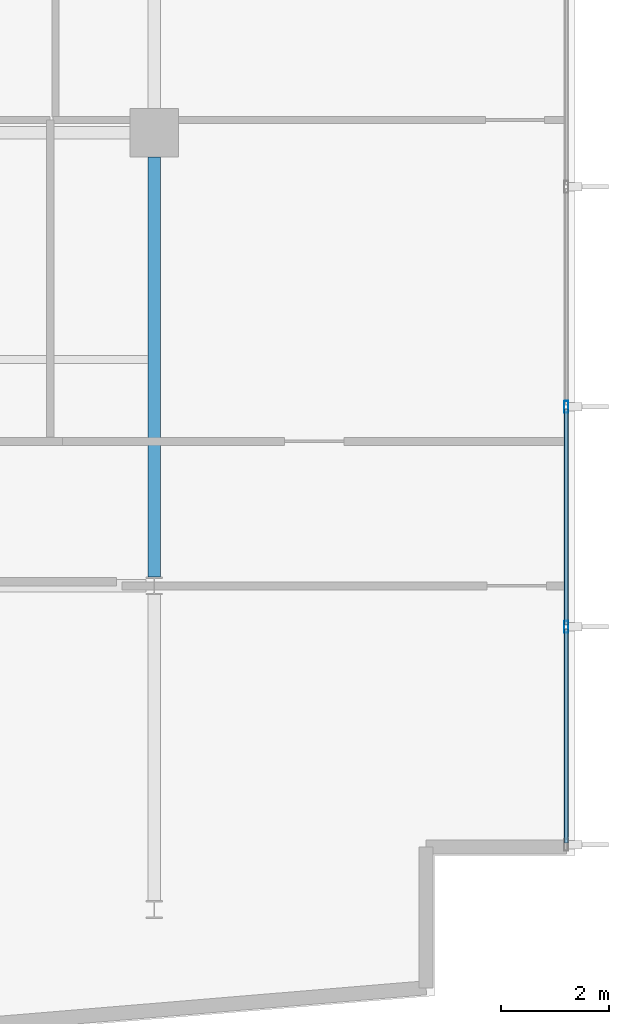
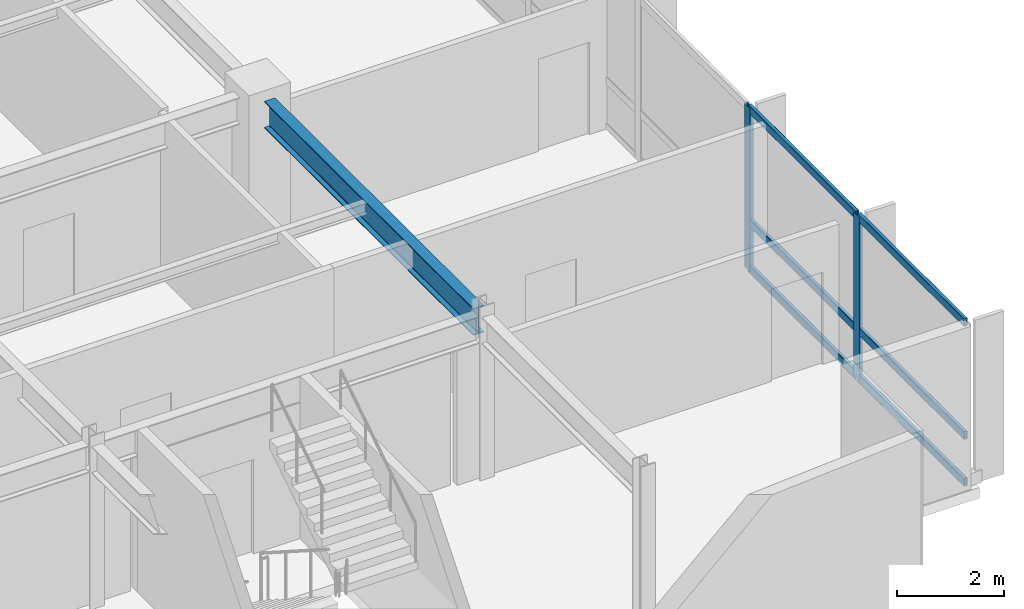
# One storey, part 6 of 21: 8 members, 1 beam, 1 element without a shape of its own.
"""IFC4 building model written with IfcOpenShell, lengths in metres."""

from ifc_helpers import new_model, si_unit, direction, frame, origin, origin_2d, place, context, subcontext, project, spatial, hollow_rectangle, i_section, extrude, material, layer, layer_set, material_profile, profile_set, type_object, element, aggregate, save


model = new_model("IFC4")

# Units and contexts
model_context = context("Model", 3, precision=1e-05, world=origin(), true_north=direction((0.0, 1.0)))
body_context = subcontext(model_context, "Body", "Model", "MODEL_VIEW")
ifc_project = project(units=[si_unit("LENGTHUNIT", "METRE"), si_unit("AREAUNIT", "SQUARE_METRE"), si_unit("VOLUMEUNIT", "CUBIC_METRE"), si_unit("PLANEANGLEUNIT", "RADIAN"), si_unit("MASSUNIT", "GRAM", prefix="KILO")], contexts=[model_context])

# Site, building, storey
site_placement = place(None, origin())
site = spatial("IfcSite", under=ifc_project, at=site_placement, CompositionType="ELEMENT")
building_placement = place(site_placement, origin())
building = spatial("IfcBuilding", under=site, at=building_placement, Name="Varnakote Quay Hospital", CompositionType="ELEMENT")
storey_placement = place(building_placement, frame((0.0, 0.0, 77.800048828125)))
storey = spatial("IfcBuildingStorey", under=building, at=storey_placement, Name="L19", CompositionType="ELEMENT", Elevation=77.800048828125)

# Beam
ifc_material_1 = material(Name="Structural steel AS/NZS 3679.1 Grade 350 L0 (fy 340 MPa)", Category="steel")
ifc_material_profile_1 = material_profile(ifc_material_1, i_section(OverallWidth=0.22900390625, OverallDepth=0.612060546875, WebThickness=0.011962890625, FlangeThickness=0.01953125, FilletRadius=0.013916015625, at=origin_2d()), Name="610UB125")
ifc_profile_set_1 = profile_set([ifc_material_profile_1], Name="Structural steel AS/NZS 3679.1 Grade 350 L0 (fy 340 MPa)")
beam_type = type_object("IfcBeamType", Name="BM-STL-610UB125", PredefinedType="BEAM", material=ifc_profile_set_1)
beam_placement = place(storey_placement, frame((50.39990234375, 12.16357421875, 3.404052734375), z_axis=(0.0, 1.0, 0.0), x_axis=(-1.0, 0.0, 0.0)))
element("IfcBeam", 1, at=beam_placement, inside=storey, type_object=beam_type, Name="L19 Primary Tie Beam", PredefinedType="BEAM", context=body_context, shape_type="SweptSolid", body=[
    extrude(i_section(OverallWidth=0.22900390625, OverallDepth=0.612060546875, WebThickness=0.011962890625, FlangeThickness=0.01953125, FilletRadius=0.013916015625, at=origin_2d()), origin(), (0.0, 0.0, 1.0), 7.786376953125),
])

# Curtain wall, members
ifc_material_2 = material(Name="Anodised aluminium 6063-T6 Bronze", Category="aluminium")
ifc_layer = layer(ifc_material_2, 0.18994140625)
ifc_layer_set = layer_set([ifc_layer], Name="Anodised aluminium 6063-T6 Bronze")
curtain_wall_type = type_object("IfcCurtainWallType", Name="CW-SYS-2", PredefinedType="NOTDEFINED", material=ifc_layer_set)
curtain_wall_placement = place(storey_placement, origin())
curtain_wall = element("IfcCurtainWall", 2, at=curtain_wall_placement, inside=storey, type_object=curtain_wall_type, Name="L19 Unitised Bronze Curtain Wall 1", PredefinedType="NOTDEFINED")
ifc_material_3 = material(Name="Anodised aluminium 6063-T6 Bronze", Category="aluminium")
ifc_material_profile_2 = material_profile(ifc_material_3, hollow_rectangle(XDim=0.074951171875, YDim=0.219970703125, WallThickness=0.00439453125, InnerFilletRadius=0.00439453125, OuterFilletRadius=0.009033203125, at=origin_2d()), Name="CW-MULL-220x75")
ifc_profile_set_2 = profile_set([ifc_material_profile_2], Name="Anodised aluminium 6063-T6 Bronze")
member_type_1 = type_object("IfcMemberType", Name="CW-MULL-220x75", PredefinedType="MULLION", material=ifc_profile_set_2)
member_1_placement = place(storey_placement, frame((58.0400390625, 11.239990234375, 0.0), z_axis=(0.0, 0.0, 1.0), x_axis=(-1.0, 0.0, 0.0)))
member_1 = element("IfcMember", 3, at=member_1_placement, type_object=member_type_1, Name="-2-L19-1 mullion 2", PredefinedType="MULLION", context=body_context, shape_type="SweptSolid", body=[
    extrude(hollow_rectangle(XDim=0.074951171875, YDim=0.219970703125, WallThickness=0.00439453125, InnerFilletRadius=0.00439453125, OuterFilletRadius=0.009033203125, at=origin_2d()), origin(), (0.0, 0.0, 1.0), 3.7099609375),
])
member_2_placement = place(storey_placement, frame((58.0400390625, 15.320068359375, 0.0), z_axis=(0.0, 0.0, 1.0), x_axis=(-1.0, 0.0, 0.0)))
member_2 = element("IfcMember", 4, at=member_2_placement, type_object=member_type_1, Name="-2-L19-1 mullion 3", PredefinedType="MULLION", context=body_context, shape_type="SweptSolid", body=[
    extrude(hollow_rectangle(XDim=0.074951171875, YDim=0.219970703125, WallThickness=0.00439453125, InnerFilletRadius=0.00439453125, OuterFilletRadius=0.009033203125, at=origin_2d()), origin(), (0.0, 0.0, 1.0), 3.7099609375),
])
ifc_material_4 = material(Name="Anodised aluminium 6063-T6 Bronze", Category="aluminium")
ifc_material_profile_3 = material_profile(ifc_material_4, hollow_rectangle(XDim=0.074951171875, YDim=0.179931640625, WallThickness=0.004150390625, InnerFilletRadius=0.004150390625, OuterFilletRadius=0.00830078125, at=origin_2d()), Name="CW-TRAN-180x75")
ifc_profile_set_3 = profile_set([ifc_material_profile_3], Name="Anodised aluminium 6063-T6 Bronze")
member_type_2 = type_object("IfcMemberType", Name="CW-TRAN-180x75", PredefinedType="USERDEFINED", material=ifc_profile_set_3)
member_3_placement = place(storey_placement, frame((58.0400390625, 7.235107421875, 0.037353515625), z_axis=(0.0, 1.0, 0.0), x_axis=(-1.0, 0.0, 0.0)))
member_3 = element("IfcMember", 5, at=member_3_placement, type_object=member_type_2, Name="-2-L19-1 transom 1.1", ObjectType="TRANSOM", PredefinedType="USERDEFINED", context=body_context, shape_type="SweptSolid", body=[
    extrude(hollow_rectangle(XDim=0.074951171875, YDim=0.179931640625, WallThickness=0.004150390625, InnerFilletRadius=0.004150390625, OuterFilletRadius=0.00830078125, at=origin_2d()), origin(), (0.0, 0.0, 1.0), 3.96728515625),
])
member_4_placement = place(storey_placement, frame((58.0400390625, 7.235107421875, 1.099853515625), z_axis=(0.0, 1.0, 0.0), x_axis=(-1.0, 0.0, 0.0)))
member_4 = element("IfcMember", 6, at=member_4_placement, type_object=member_type_2, Name="-2-L19-1 transom 1.2", ObjectType="TRANSOM", PredefinedType="USERDEFINED", context=body_context, shape_type="SweptSolid", body=[
    extrude(hollow_rectangle(XDim=0.074951171875, YDim=0.179931640625, WallThickness=0.004150390625, InnerFilletRadius=0.004150390625, OuterFilletRadius=0.00830078125, at=origin_2d()), origin(), (0.0, 0.0, 1.0), 3.96728515625),
])
member_5_placement = place(storey_placement, frame((58.0400390625, 7.235107421875, 3.67236328125), z_axis=(0.0, 1.0, 0.0), x_axis=(-1.0, 0.0, 0.0)))
member_5 = element("IfcMember", 7, at=member_5_placement, type_object=member_type_2, Name="-2-L19-1 transom 1.3", ObjectType="TRANSOM", PredefinedType="USERDEFINED", context=body_context, shape_type="SweptSolid", body=[
    extrude(hollow_rectangle(XDim=0.074951171875, YDim=0.179931640625, WallThickness=0.004150390625, InnerFilletRadius=0.004150390625, OuterFilletRadius=0.00830078125, at=origin_2d()), origin(), (0.0, 0.0, 1.0), 3.96728515625),
])
member_6_placement = place(storey_placement, frame((58.0400390625, 11.277587890625, 0.037353515625), z_axis=(0.0, 1.0, 0.0), x_axis=(-1.0, 0.0, 0.0)))
member_6 = element("IfcMember", 8, at=member_6_placement, type_object=member_type_2, Name="-2-L19-1 transom 2.1", ObjectType="TRANSOM", PredefinedType="USERDEFINED", context=body_context, shape_type="SweptSolid", body=[
    extrude(hollow_rectangle(XDim=0.074951171875, YDim=0.179931640625, WallThickness=0.004150390625, InnerFilletRadius=0.004150390625, OuterFilletRadius=0.00830078125, at=origin_2d()), origin(), (0.0, 0.0, 1.0), 4.0048828125),
])
member_7_placement = place(storey_placement, frame((58.0400390625, 11.277587890625, 1.099853515625), z_axis=(0.0, 1.0, 0.0), x_axis=(-1.0, 0.0, 0.0)))
member_7 = element("IfcMember", 9, at=member_7_placement, type_object=member_type_2, Name="-2-L19-1 transom 2.2", ObjectType="TRANSOM", PredefinedType="USERDEFINED", context=body_context, shape_type="SweptSolid", body=[
    extrude(hollow_rectangle(XDim=0.074951171875, YDim=0.179931640625, WallThickness=0.004150390625, InnerFilletRadius=0.004150390625, OuterFilletRadius=0.00830078125, at=origin_2d()), origin(), (0.0, 0.0, 1.0), 4.0048828125),
])
member_8_placement = place(storey_placement, frame((58.0400390625, 11.277587890625, 3.67236328125), z_axis=(0.0, 1.0, 0.0), x_axis=(-1.0, 0.0, 0.0)))
member_8 = element("IfcMember", 10, at=member_8_placement, type_object=member_type_2, Name="-2-L19-1 transom 2.3", ObjectType="TRANSOM", PredefinedType="USERDEFINED", context=body_context, shape_type="SweptSolid", body=[
    extrude(hollow_rectangle(XDim=0.074951171875, YDim=0.179931640625, WallThickness=0.004150390625, InnerFilletRadius=0.004150390625, OuterFilletRadius=0.00830078125, at=origin_2d()), origin(), (0.0, 0.0, 1.0), 4.0048828125),
])
aggregate(curtain_wall, [member_1, member_2, member_3, member_4, member_5, member_6, member_7, member_8])

save(model, "model.ifc")
